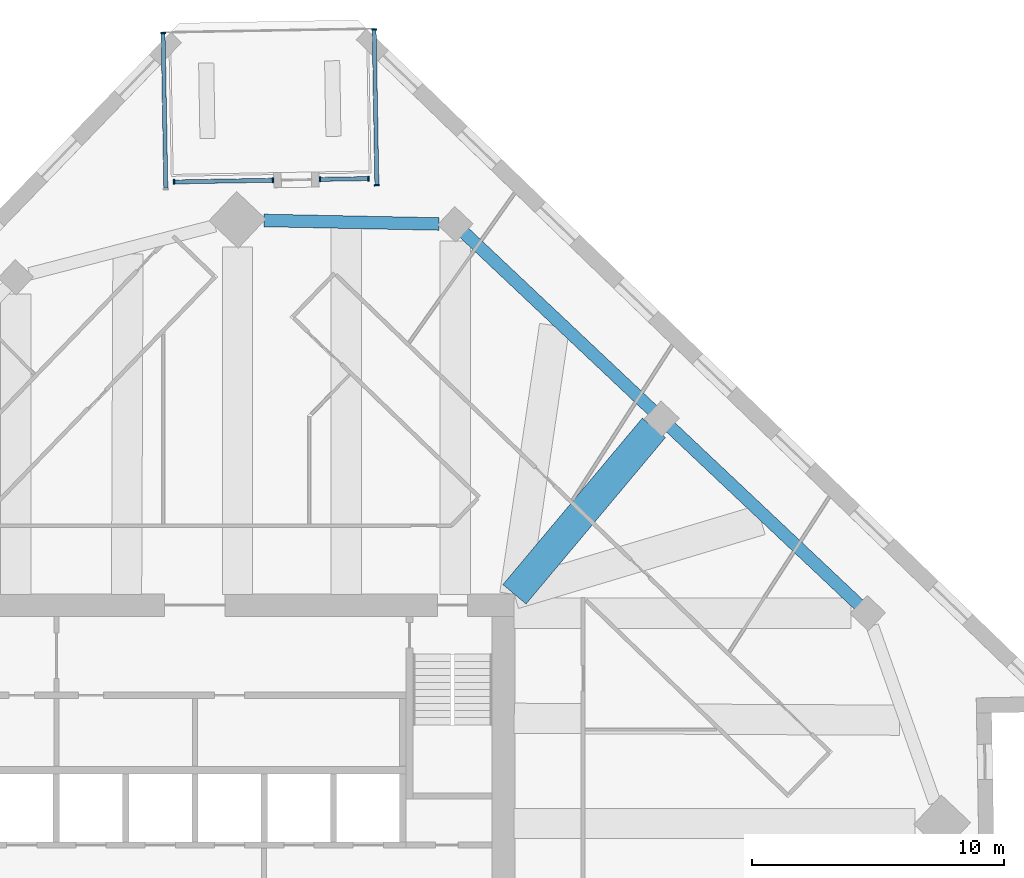
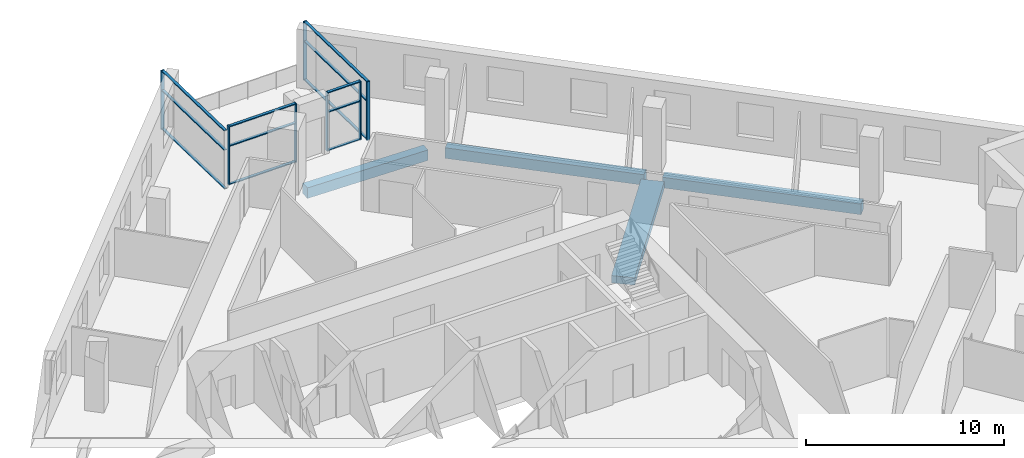
# One storey, part 4 of 13: 19 members, 4 beams, 4 elements without a shape of their own.
"""IFC4 building model written with IfcOpenShell, lengths in metres."""

from ifc_helpers import new_model, si_unit, direction, frame, origin, origin_2d, place, context, subcontext, project, spatial, rectangle, extrude, material, material_profile, profile_set, type_object, element, aggregate, save


model = new_model("IFC4")

# Units and contexts
model_context = context("Model", 3, precision=1e-05, world=origin(), true_north=direction((0.0, 1.0)))
body_context = subcontext(model_context, "Body", "Model", "MODEL_VIEW")
ifc_project = project(units=[si_unit("LENGTHUNIT", "METRE"), si_unit("AREAUNIT", "SQUARE_METRE"), si_unit("VOLUMEUNIT", "CUBIC_METRE"), si_unit("PLANEANGLEUNIT", "RADIAN"), si_unit("MASSUNIT", "GRAM", prefix="KILO")], contexts=[model_context])

# Site, building, storey
site_placement = place(None, origin())
site = spatial("IfcSite", under=ifc_project, at=site_placement, CompositionType="ELEMENT")
building_placement = place(site_placement, origin())
building = spatial("IfcBuilding", under=site, at=building_placement, Name="Dilmun Exchange Tower", CompositionType="ELEMENT")
storey_placement = place(building_placement, frame((0.0, 0.0, 209.300048828125)))
storey = spatial("IfcBuildingStorey", under=building, at=storey_placement, Name="L49", CompositionType="ELEMENT", Elevation=209.300048828125)

# Curtain wall, members
ifc_material_1 = material(Name="Anodised aluminium and clear glass", Category="aluminium")
curtain_wall_type = type_object("IfcCurtainWallType", Name="Garden corner glazing", PredefinedType="NOTDEFINED", material=ifc_material_1)
curtain_wall_1_placement = place(storey_placement, origin())
curtain_wall_1 = element("IfcCurtainWall", 1, at=curtain_wall_1_placement, inside=storey, type_object=curtain_wall_type, Name="Garden corner glazing run GC1.1", PredefinedType="NOTDEFINED")
ifc_material_2 = material(Name="Anodised aluminium", Category="aluminium")
ifc_material_profile_1 = material_profile(ifc_material_2, rectangle(XDim=0.199951171875, YDim=0.06005859375, at=origin_2d()), Name="AL 60x200")
ifc_profile_set_1 = profile_set([ifc_material_profile_1], Name="Anodised aluminium")
member_type_1 = type_object("IfcMemberType", Name="Garden corner glazing mullion 60 x 200", PredefinedType="MULLION", material=ifc_profile_set_1)
member_1_placement = place(storey_placement, frame((7.113037109375, 35.101318359375, 0.0), z_axis=(0.0, 0.0, 1.0), x_axis=(0.999847738755, 0.017449908501, 0.0)))
member_1 = element("IfcMember", 2, at=member_1_placement, type_object=member_type_1, Name="GC1.1 mullion 1", PredefinedType="MULLION", context=body_context, shape_type="SweptSolid", body=[
    extrude(rectangle(XDim=0.199951171875, YDim=0.06005859375, at=origin_2d()), origin(), (0.0, 0.0, 1.0), 3.619873046875),
])
member_2_placement = place(storey_placement, frame((7.22119140625, 28.915771484375, 0.0), z_axis=(0.0, 0.0, 1.0), x_axis=(0.999847738755, 0.017449908501, 0.0)))
member_2 = element("IfcMember", 3, at=member_2_placement, type_object=member_type_1, Name="GC1.1 mullion 2", PredefinedType="MULLION", context=body_context, shape_type="SweptSolid", body=[
    extrude(rectangle(XDim=0.199951171875, YDim=0.06005859375, at=origin_2d()), origin(), (0.0, 0.0, 1.0), 3.619873046875),
])

curtain_wall_2_placement = place(storey_placement, origin())
curtain_wall_2 = element("IfcCurtainWall", 4, at=curtain_wall_2_placement, inside=storey, type_object=curtain_wall_type, Name="Garden corner glazing run GC2.1", PredefinedType="NOTDEFINED")
member_3_placement = place(storey_placement, frame((6.886474609375, 29.179931640625, 0.0), z_axis=(0.0, 0.0, 1.0), x_axis=(0.017445052024, -0.999847823501, 0.0)))
member_3 = element("IfcMember", 5, at=member_3_placement, type_object=member_type_1, Name="GC2.1 mullion 1", PredefinedType="MULLION", context=body_context, shape_type="SweptSolid", body=[
    extrude(rectangle(XDim=0.199951171875, YDim=0.06005859375, at=origin_2d()), origin(), (0.0, 0.0, 1.0), 3.619873046875),
])
member_4_placement = place(storey_placement, frame((4.95751953125, 29.146240234375, 0.0), z_axis=(0.0, 0.0, 1.0), x_axis=(0.017445052024, -0.999847823501, 0.0)))
member_4 = element("IfcMember", 6, at=member_4_placement, type_object=member_type_1, Name="GC2.1 mullion 2", PredefinedType="MULLION", context=body_context, shape_type="SweptSolid", body=[
    extrude(rectangle(XDim=0.199951171875, YDim=0.06005859375, at=origin_2d()), origin(), (0.0, 0.0, 1.0), 3.619873046875),
])

curtain_wall_3_placement = place(storey_placement, origin())
curtain_wall_3 = element("IfcCurtainWall", 7, at=curtain_wall_3_placement, inside=storey, type_object=curtain_wall_type, Name="Garden corner glazing run GC2.3", PredefinedType="NOTDEFINED")
member_5_placement = place(storey_placement, frame((3.097900390625, 29.11376953125, 0.0), z_axis=(0.0, 0.0, 1.0), x_axis=(0.017472573608, -0.999847342934, 0.0)))
member_5 = element("IfcMember", 8, at=member_5_placement, type_object=member_type_1, Name="GC2.3 mullion 1", PredefinedType="MULLION", context=body_context, shape_type="SweptSolid", body=[
    extrude(rectangle(XDim=0.199951171875, YDim=0.06005859375, at=origin_2d()), origin(), (0.0, 0.0, 1.0), 3.619873046875),
])
member_6_placement = place(storey_placement, frame((-0.83056640625, 29.045166015625, 0.0), z_axis=(0.0, 0.0, 1.0), x_axis=(0.017472573608, -0.999847342934, 0.0)))
member_6 = element("IfcMember", 9, at=member_6_placement, type_object=member_type_1, Name="GC2.3 mullion 2", PredefinedType="MULLION", context=body_context, shape_type="SweptSolid", body=[
    extrude(rectangle(XDim=0.199951171875, YDim=0.06005859375, at=origin_2d()), origin(), (0.0, 0.0, 1.0), 3.619873046875),
])

# Curtain wall, member
curtain_wall_4_placement = place(storey_placement, origin())
curtain_wall_4 = element("IfcCurtainWall", 10, at=curtain_wall_4_placement, inside=storey, type_object=curtain_wall_type, Name="Garden corner glazing run GC3.1", PredefinedType="NOTDEFINED")
member_7_placement = place(storey_placement, frame((-1.263671875, 34.955078125, 0.0), z_axis=(0.0, 0.0, 1.0), x_axis=(-0.99984773388, -0.017450187816, 0.0)))
member_7 = element("IfcMember", 11, at=member_7_placement, type_object=member_type_1, Name="GC3.1 mullion 2", PredefinedType="MULLION", context=body_context, shape_type="SweptSolid", body=[
    extrude(rectangle(XDim=0.199951171875, YDim=0.06005859375, at=origin_2d()), origin(), (0.0, 0.0, 1.0), 3.619873046875),
])

# Member
ifc_material_profile_2 = material_profile(ifc_material_2, rectangle(XDim=0.159912109375, YDim=0.06005859375, at=origin_2d()), Name="AL 60x160")
ifc_profile_set_2 = profile_set([ifc_material_profile_2], Name="Anodised aluminium")
member_type_2 = type_object("IfcMemberType", Name="Garden corner glazing transom 60 x 160", PredefinedType="USERDEFINED", material=ifc_profile_set_2)
member_8_placement = place(storey_placement, frame((7.113525390625, 35.0712890625, 0.030029296875), z_axis=(0.017454494799, -0.999847658702, 0.0), x_axis=(0.999847658702, 0.017454494799, 0.0)))
member_8 = element("IfcMember", 12, at=member_8_placement, type_object=member_type_2, Name="GC1.1 transom 1.1", ObjectType="TRANSOM", PredefinedType="USERDEFINED", context=body_context, shape_type="SweptSolid", body=[
    extrude(rectangle(XDim=0.159912109375, YDim=0.06005859375, at=origin_2d()), origin(), (0.0, 0.0, 1.0), 6.12646484375),
])

member_9_placement = place(storey_placement, frame((7.113525390625, 35.0712890625, 2.39990234375), z_axis=(0.017454494799, -0.999847658702, 0.0), x_axis=(0.999847658702, 0.017454494799, 0.0)))
member_9 = element("IfcMember", 13, at=member_9_placement, type_object=member_type_2, Name="GC1.1 transom 1.2", ObjectType="TRANSOM", PredefinedType="USERDEFINED", context=body_context, shape_type="SweptSolid", body=[
    extrude(rectangle(XDim=0.159912109375, YDim=0.06005859375, at=origin_2d()), origin(), (0.0, 0.0, 1.0), 6.12646484375),
])

member_10_placement = place(storey_placement, frame((7.113525390625, 35.0712890625, 3.58984375), z_axis=(0.017454494799, -0.999847658702, 0.0), x_axis=(0.999847658702, 0.017454494799, 0.0)))
member_10 = element("IfcMember", 14, at=member_10_placement, type_object=member_type_2, Name="GC1.1 transom 1.3", ObjectType="TRANSOM", PredefinedType="USERDEFINED", context=body_context, shape_type="SweptSolid", body=[
    extrude(rectangle(XDim=0.159912109375, YDim=0.06005859375, at=origin_2d()), origin(), (0.0, 0.0, 1.0), 6.12646484375),
])

aggregate(curtain_wall_1, [member_1, member_2, member_8, member_9, member_10])

member_11_placement = place(storey_placement, frame((6.8564453125, 29.179443359375, 0.030029296875), z_axis=(-0.999846824461, -0.017502217437, 0.0), x_axis=(0.017502217437, -0.999846824461, 0.0)))
member_11 = element("IfcMember", 15, at=member_11_placement, type_object=member_type_2, Name="GC2.1 transom 1.1", ObjectType="TRANSOM", PredefinedType="USERDEFINED", context=body_context, shape_type="SweptSolid", body=[
    extrude(rectangle(XDim=0.159912109375, YDim=0.06005859375, at=origin_2d()), origin(), (0.0, 0.0, 1.0), 1.869140625),
])

member_12_placement = place(storey_placement, frame((6.8564453125, 29.179443359375, 2.39990234375), z_axis=(-0.999846824461, -0.017502217437, 0.0), x_axis=(0.017502217437, -0.999846824461, 0.0)))
member_12 = element("IfcMember", 16, at=member_12_placement, type_object=member_type_2, Name="GC2.1 transom 1.2", ObjectType="TRANSOM", PredefinedType="USERDEFINED", context=body_context, shape_type="SweptSolid", body=[
    extrude(rectangle(XDim=0.159912109375, YDim=0.06005859375, at=origin_2d()), origin(), (0.0, 0.0, 1.0), 1.869140625),
])

member_13_placement = place(storey_placement, frame((6.8564453125, 29.179443359375, 3.58984375), z_axis=(-0.999846824461, -0.017502217437, 0.0), x_axis=(0.017502217437, -0.999846824461, 0.0)))
member_13 = element("IfcMember", 17, at=member_13_placement, type_object=member_type_2, Name="GC2.1 transom 1.3", ObjectType="TRANSOM", PredefinedType="USERDEFINED", context=body_context, shape_type="SweptSolid", body=[
    extrude(rectangle(XDim=0.159912109375, YDim=0.06005859375, at=origin_2d()), origin(), (0.0, 0.0, 1.0), 1.869140625),
])

aggregate(curtain_wall_2, [member_3, member_4, member_11, member_12, member_13])

member_14_placement = place(storey_placement, frame((3.06787109375, 29.11328125, 0.030029296875), z_axis=(-0.999847227381, -0.017479184726, 0.0), x_axis=(0.017479184726, -0.999847227381, 0.0)))
member_14 = element("IfcMember", 18, at=member_14_placement, type_object=member_type_2, Name="GC2.3 transom 1.1", ObjectType="TRANSOM", PredefinedType="USERDEFINED", context=body_context, shape_type="SweptSolid", body=[
    extrude(rectangle(XDim=0.159912109375, YDim=0.06005859375, at=origin_2d()), origin(), (0.0, 0.0, 1.0), 3.868896484375),
])

member_15_placement = place(storey_placement, frame((3.06787109375, 29.11328125, 2.39990234375), z_axis=(-0.999847227381, -0.017479184726, 0.0), x_axis=(0.017479184726, -0.999847227381, 0.0)))
member_15 = element("IfcMember", 19, at=member_15_placement, type_object=member_type_2, Name="GC2.3 transom 1.2", ObjectType="TRANSOM", PredefinedType="USERDEFINED", context=body_context, shape_type="SweptSolid", body=[
    extrude(rectangle(XDim=0.159912109375, YDim=0.06005859375, at=origin_2d()), origin(), (0.0, 0.0, 1.0), 3.868896484375),
])

member_16_placement = place(storey_placement, frame((3.06787109375, 29.11328125, 3.58984375), z_axis=(-0.999847227381, -0.017479184726, 0.0), x_axis=(0.017479184726, -0.999847227381, 0.0)))
member_16 = element("IfcMember", 20, at=member_16_placement, type_object=member_type_2, Name="GC2.3 transom 1.3", ObjectType="TRANSOM", PredefinedType="USERDEFINED", context=body_context, shape_type="SweptSolid", body=[
    extrude(rectangle(XDim=0.159912109375, YDim=0.06005859375, at=origin_2d()), origin(), (0.0, 0.0, 1.0), 3.868896484375),
])

aggregate(curtain_wall_3, [member_5, member_6, member_14, member_15, member_16])

member_17_placement = place(storey_placement, frame((-1.15625, 28.799560546875, 0.030029296875), z_axis=(-0.017454494799, 0.999847658702, 0.0), x_axis=(-0.999847658702, -0.017454494799, 0.0)))
member_17 = element("IfcMember", 21, at=member_17_placement, type_object=member_type_2, Name="GC3.1 transom 1.1", ObjectType="TRANSOM", PredefinedType="USERDEFINED", context=body_context, shape_type="SweptSolid", body=[
    extrude(rectangle(XDim=0.159912109375, YDim=0.06005859375, at=origin_2d()), origin(), (0.0, 0.0, 1.0), 6.12646484375),
])

member_18_placement = place(storey_placement, frame((-1.15625, 28.799560546875, 2.39990234375), z_axis=(-0.017454494799, 0.999847658702, 0.0), x_axis=(-0.999847658702, -0.017454494799, 0.0)))
member_18 = element("IfcMember", 22, at=member_18_placement, type_object=member_type_2, Name="GC3.1 transom 1.2", ObjectType="TRANSOM", PredefinedType="USERDEFINED", context=body_context, shape_type="SweptSolid", body=[
    extrude(rectangle(XDim=0.159912109375, YDim=0.06005859375, at=origin_2d()), origin(), (0.0, 0.0, 1.0), 6.12646484375),
])

member_19_placement = place(storey_placement, frame((-1.15625, 28.799560546875, 3.58984375), z_axis=(-0.017454494799, 0.999847658702, 0.0), x_axis=(-0.999847658702, -0.017454494799, 0.0)))
member_19 = element("IfcMember", 23, at=member_19_placement, type_object=member_type_2, Name="GC3.1 transom 1.3", ObjectType="TRANSOM", PredefinedType="USERDEFINED", context=body_context, shape_type="SweptSolid", body=[
    extrude(rectangle(XDim=0.159912109375, YDim=0.06005859375, at=origin_2d()), origin(), (0.0, 0.0, 1.0), 6.12646484375),
])

aggregate(curtain_wall_4, [member_7, member_17, member_18, member_19])

# Beams
ifc_material_3 = material(Name="Concrete C40/50", Category="concrete")
ifc_material_profile_3 = material_profile(ifc_material_3, rectangle(XDim=1.199951171875, YDim=0.449951171875, at=origin_2d()), Name="1200 x 450")
ifc_profile_set_3 = profile_set([ifc_material_profile_3], Name="Concrete C40/50")
beam_type_1 = type_object("IfcBeamType", Name="RC band beam 1200 x 450 C40/50", PredefinedType="BEAM", material=ifc_profile_set_3)
beam_1_placement = place(storey_placement, frame((18.2158203125, 19.28369140625, -0.705078125), z_axis=(-0.642200063897, -0.766537068856, 0.0), x_axis=(0.766537068856, -0.642200063897, 0.0)))
element("IfcBeam", 24, at=beam_1_placement, inside=storey, type_object=beam_type_1, Name="Band beam 15", PredefinedType="BEAM", context=body_context, shape_type="SweptSolid", body=[
    extrude(rectangle(XDim=1.199951171875, YDim=0.449951171875, at=origin_2d()), origin(), (0.0, 0.0, 1.0), 8.615966796875),
])
ifc_material_profile_4 = material_profile(ifc_material_3, rectangle(XDim=0.5, YDim=0.64990234375, at=origin_2d()), Name="500 x 650")
ifc_profile_set_4 = profile_set([ifc_material_profile_4], Name="Concrete C40/50")
beam_type_2 = type_object("IfcBeamType", Name="RC ring beam 500 x 650 C40/50", PredefinedType="SPANDREL", material=ifc_profile_set_4)
beam_2_placement = place(storey_placement, frame((26.36181640625, 12.25537109375, -0.705078125), z_axis=(-0.727685706374, 0.68591071776, 0.0), x_axis=(-0.68591071776, -0.727685706374, 0.0)))
element("IfcBeam", 25, at=beam_2_placement, inside=storey, type_object=beam_type_2, Name="Ring beam 14", PredefinedType="SPANDREL", context=body_context, shape_type="SweptSolid", body=[
    extrude(rectangle(XDim=0.5, YDim=0.64990234375, at=origin_2d()), origin(), (0.0, 0.0, 1.0), 10.30322265625),
])
beam_3_placement = place(storey_placement, frame((18.17578125, 19.971435546875, -0.705078125), z_axis=(-0.727682990869, 0.685913598641, 0.0), x_axis=(-0.685913598641, -0.727682990869, 0.0)))
element("IfcBeam", 26, at=beam_3_placement, inside=storey, type_object=beam_type_2, Name="Ring beam 15", PredefinedType="SPANDREL", context=body_context, shape_type="SweptSolid", body=[
    extrude(rectangle(XDim=0.5, YDim=0.64990234375, at=origin_2d()), origin(), (0.0, 0.0, 1.0), 10.3046875),
])
beam_4_placement = place(storey_placement, frame((9.685791015625, 27.376953125, -0.705078125), z_axis=(-0.999797424966, 0.020127320539, 0.0), x_axis=(-0.020127320539, -0.999797424966, 0.0)))
element("IfcBeam", 27, at=beam_4_placement, inside=storey, type_object=beam_type_2, Name="Ring beam 16", PredefinedType="SPANDREL", context=body_context, shape_type="SweptSolid", body=[
    extrude(rectangle(XDim=0.5, YDim=0.64990234375, at=origin_2d()), origin(), (0.0, 0.0, 1.0), 6.950439453125),
])

save(model, "model.ifc")
